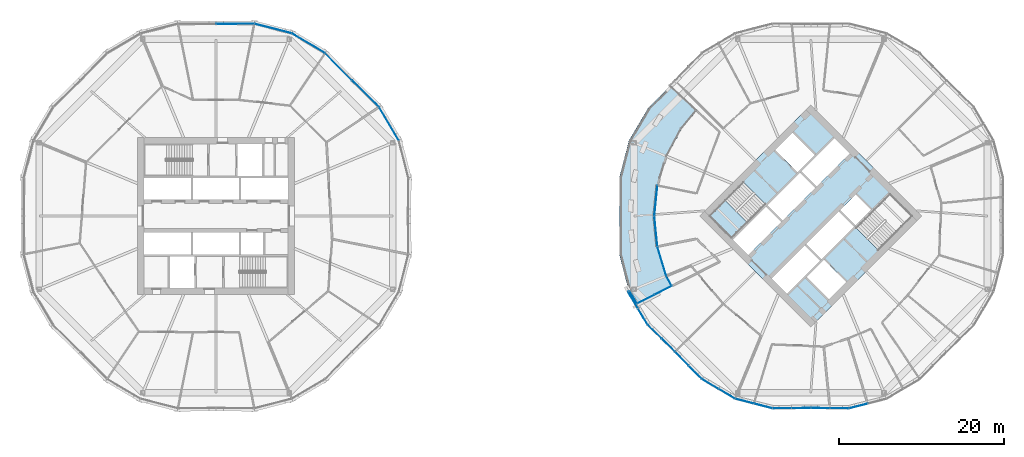
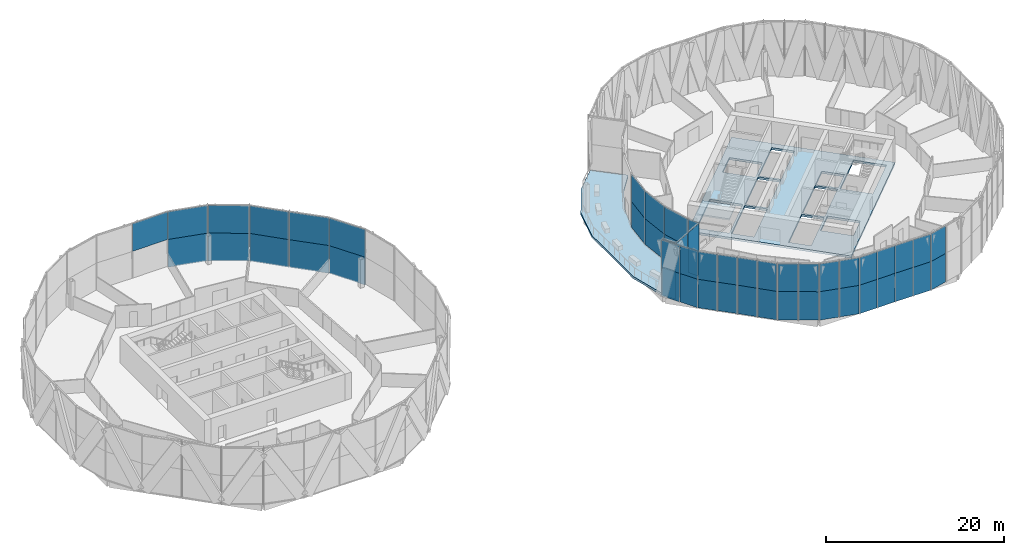
# One storey, part 19 of 31: 55 plates, 3 slabs, 9 elements without a shape of their own.
"""IFC4 building model written with IfcOpenShell, lengths in metres."""

from ifc_helpers import new_model, si_unit, direction, frame, origin, origin_2d, place, context, subcontext, project, spatial, polyline, rectangle, outline, extrude, material, layer, layer_set, type_object, element, aggregate, save


model = new_model("IFC4")

# Units and contexts
model_context = context("Model", 3, precision=1e-05, world=origin(), true_north=direction((0.0, 1.0)))
body_context = subcontext(model_context, "Body", "Model", "MODEL_VIEW")
ifc_project = project(units=[si_unit("LENGTHUNIT", "METRE"), si_unit("AREAUNIT", "SQUARE_METRE"), si_unit("VOLUMEUNIT", "CUBIC_METRE"), si_unit("PLANEANGLEUNIT", "RADIAN"), si_unit("MASSUNIT", "GRAM", prefix="KILO")], contexts=[model_context])

# Site, building, storey
site_placement = place(None, origin())
site = spatial("IfcSite", under=ifc_project, at=site_placement, CompositionType="ELEMENT")
building_placement = place(site_placement, origin())
building = spatial("IfcBuilding", under=site, at=building_placement, Name="Ogive Gate Towers", CompositionType="ELEMENT")
storey_placement = place(building_placement, frame((0.0, 0.0, 107.39990234375)))
storey = spatial("IfcBuildingStorey", under=building, at=storey_placement, Name="L25", CompositionType="ELEMENT", Elevation=107.39990234375)

# Slab
ifc_material_1 = material(Name="Concrete C40/50", Category="concrete")
ifc_layer_1 = layer(ifc_material_1, 0.300048828125)
ifc_layer_set_1 = layer_set([ifc_layer_1], Name="Core slab C40/50 300 mm")
slab_type_1 = type_object("IfcSlabType", Name="Core slab C40/50 300 mm", PredefinedType="FLOOR", material=ifc_layer_set_1)
slab_1_placement = place(storey_placement, frame((0.0, 0.0, -0.2998046875)))
element("IfcSlab", 1, at=slab_1_placement, inside=storey, type_object=slab_type_1, Name="T2 L25 core slab", PredefinedType="FLOOR", context=body_context, shape_type="SweptSolid", body=[
    extrude(outline(polyline([(36.0, 13.43505859375), (49.43505859375, 0.0), (36.0, -13.43505859375), (22.56494140625, 0.0), (36.0, 13.43505859375)]), holes=[polyline([(30.590576171875, 1.13134765625), (26.577880859375, -2.881591796875), (28.43408203125, -4.737548828125), (32.44677734375, -0.724853515625), (30.590576171875, 1.13134765625)]), polyline([(36.548095703125, 3.37646484375), (34.69189453125, 5.232666015625), (30.767333984375, 1.30810546875), (32.62353515625, -0.548095703125), (36.548095703125, 3.37646484375)]), polyline([(36.724853515625, 3.55322265625), (40.737548828125, 7.56591796875), (38.881591796875, 9.422119140625), (34.86865234375, 5.409423828125), (36.724853515625, 3.55322265625)]), polyline([(31.262451171875, -7.56591796875), (33.118408203125, -9.422119140625), (37.13134765625, -5.409423828125), (35.275146484375, -3.55322265625), (31.262451171875, -7.56591796875)]), polyline([(39.37646484375, 0.548095703125), (35.451904296875, -3.37646484375), (37.30810546875, -5.232666015625), (41.232666015625, -1.30810546875), (39.37646484375, 0.548095703125)]), polyline([(43.283203125, 0.742431640625), (41.427001953125, 2.5986328125), (39.55322265625, 0.724853515625), (41.409423828125, -1.13134765625), (43.283203125, 0.742431640625)]), polyline([(34.408935546875, 5.30322265625), (36.4951171875, 7.389404296875), (33.790283203125, 10.093994140625), (31.704345703125, 8.008056640625), (34.408935546875, 5.30322265625)]), polyline([(35.5048828125, -7.389404296875), (38.209716796875, -10.093994140625), (40.295654296875, -8.008056640625), (37.591064453125, -5.30322265625), (35.5048828125, -7.389404296875)]), polyline([(26.40087890625, -2.70458984375), (30.512939453125, 1.406982421875), (27.80810546875, 4.11181640625), (23.6962890625, 0.0), (26.40087890625, -2.70458984375)]), polyline([(48.3037109375, 0.0), (45.59912109375, 2.70458984375), (41.487060546875, -1.406982421875), (44.19189453125, -4.11181640625), (48.3037109375, 0.0)])]), origin(), (0.0, 0.0, 1.0), 0.2998046875),
])

# Curtain wall, plates
ifc_material_2 = material(Name="Pale metal aluminium", Category="aluminium")
curtain_wall_type_1 = type_object("IfcCurtainWallType", Name="Sky garden glazing", PredefinedType="NOTDEFINED", material=ifc_material_2)
curtain_wall_1_placement = place(storey_placement, origin())
curtain_wall_1 = element("IfcCurtainWall", 2, at=curtain_wall_1_placement, inside=storey, type_object=curtain_wall_type_1, Name="CW4 T2 ECW01", PredefinedType="NOTDEFINED")
ifc_material_3 = material(Name="Clear glass", Category="glass")
ifc_layer_2 = layer(ifc_material_3, 0.028076171875)
ifc_layer_set_2 = layer_set([ifc_layer_2], Name="Sky garden glazing glass panel")
plate_type_1 = type_object("IfcPlateType", Name="Sky garden glazing glass panel", PredefinedType="CURTAIN_PANEL", material=ifc_layer_set_2)
plate_1_placement = place(storey_placement, frame((17.241455078125, 1.84765625, 0.09619140625), z_axis=(0.0, 0.0, 1.0), x_axis=(0.098034509565, 0.995183015799, 0.0)))
plate_1 = element("IfcPlate", 3, at=plate_1_placement, type_object=plate_type_1, Name="CW4 glass panel", PredefinedType="CURTAIN_PANEL", context=body_context, shape_type="SweptSolid", body=[
    extrude(rectangle(XDim=3.6689453125, YDim=0.028076171875, at=origin_2d()), origin(), (0.0, 0.0, 1.0), 3.50390625),
])
plate_2_placement = place(storey_placement, frame((17.241455078125, 1.84765625, 3.60009765625), z_axis=(0.0, 0.0, 1.0), x_axis=(0.098034509565, 0.995183015799, 0.0)))
plate_2 = element("IfcPlate", 4, at=plate_2_placement, type_object=plate_type_1, Name="CW4 glass panel", PredefinedType="CURTAIN_PANEL", context=body_context, shape_type="SweptSolid", body=[
    extrude(rectangle(XDim=3.6689453125, YDim=0.028076171875, at=origin_2d()), origin(), (0.0, 0.0, 1.0), 3.803955078125),
])
aggregate(curtain_wall_1, [plate_1, plate_2])

curtain_wall_2_placement = place(storey_placement, origin())
curtain_wall_2 = element("IfcCurtainWall", 5, at=curtain_wall_2_placement, inside=storey, type_object=curtain_wall_type_1, Name="CW4 T2 ECW02", PredefinedType="NOTDEFINED")
plate_3_placement = place(storey_placement, frame((18.100341796875, -9.008056640625, 0.09619140625), z_axis=(0.0, 0.0, 1.0), x_axis=(0.891006524188, 0.45399049974, 0.0)))
plate_3 = element("IfcPlate", 6, at=plate_3_placement, type_object=plate_type_1, Name="CW4 glass panel", PredefinedType="CURTAIN_PANEL", context=body_context, shape_type="SweptSolid", body=[
    extrude(rectangle(XDim=2.290283203125, YDim=0.028076171875, at=origin_2d()), origin(), (0.0, 0.0, 1.0), 3.50390625),
])
plate_4_placement = place(storey_placement, frame((18.100341796875, -9.008056640625, 3.60009765625), z_axis=(0.0, 0.0, 1.0), x_axis=(0.891006524188, 0.45399049974, 0.0)))
plate_4 = element("IfcPlate", 7, at=plate_4_placement, type_object=plate_type_1, Name="CW4 glass panel", PredefinedType="CURTAIN_PANEL", context=body_context, shape_type="SweptSolid", body=[
    extrude(rectangle(XDim=2.290283203125, YDim=0.028076171875, at=origin_2d()), origin(), (0.0, 0.0, 1.0), 3.803955078125),
])
plate_5_placement = place(storey_placement, frame((18.824951171875, -7.853759765625, 0.09619140625), z_axis=(0.0, 0.0, 1.0), x_axis=(-0.471396736826, 0.881921264348, 0.0)))
plate_5 = element("IfcPlate", 8, at=plate_5_placement, type_object=plate_type_1, Name="CW4 glass panel", PredefinedType="CURTAIN_PANEL", context=body_context, shape_type="SweptSolid", body=[
    extrude(rectangle(XDim=1.322509765625, YDim=0.028076171875, at=origin_2d()), origin(), (0.0, 0.0, 1.0), 3.50390625),
])
plate_6_placement = place(storey_placement, frame((18.824951171875, -7.853759765625, 3.60009765625), z_axis=(0.0, 0.0, 1.0), x_axis=(-0.471396736826, 0.881921264348, 0.0)))
plate_6 = element("IfcPlate", 9, at=plate_6_placement, type_object=plate_type_1, Name="CW4 glass panel", PredefinedType="CURTAIN_PANEL", context=body_context, shape_type="SweptSolid", body=[
    extrude(rectangle(XDim=1.322509765625, YDim=0.028076171875, at=origin_2d()), origin(), (0.0, 0.0, 1.0), 3.803955078125),
])
plate_7_placement = place(storey_placement, frame((17.96240234375, -5.4716796875, 0.09619140625), z_axis=(0.0, 0.0, 1.0), x_axis=(-0.290284677254, 0.956940335732, 0.0)))
plate_7 = element("IfcPlate", 10, at=plate_7_placement, type_object=plate_type_1, Name="CW4 glass panel", PredefinedType="CURTAIN_PANEL", context=body_context, shape_type="SweptSolid", body=[
    extrude(rectangle(XDim=3.662109375, YDim=0.028076171875, at=origin_2d()), origin(), (0.0, 0.0, 1.0), 3.50390625),
])
plate_8_placement = place(storey_placement, frame((17.96240234375, -5.4716796875, 3.60009765625), z_axis=(0.0, 0.0, 1.0), x_axis=(-0.290284677254, 0.956940335732, 0.0)))
plate_8 = element("IfcPlate", 11, at=plate_8_placement, type_object=plate_type_1, Name="CW4 glass panel", PredefinedType="CURTAIN_PANEL", context=body_context, shape_type="SweptSolid", body=[
    extrude(rectangle(XDim=3.662109375, YDim=0.028076171875, at=origin_2d()), origin(), (0.0, 0.0, 1.0), 3.803955078125),
])
plate_9_placement = place(storey_placement, frame((17.2412109375, -1.845947265625, 0.09619140625), z_axis=(0.0, 0.0, 1.0), x_axis=(-0.098034509565, 0.995183015799, 0.0)))
plate_9 = element("IfcPlate", 12, at=plate_9_placement, type_object=plate_type_1, Name="CW4 glass panel", PredefinedType="CURTAIN_PANEL", context=body_context, shape_type="SweptSolid", body=[
    extrude(rectangle(XDim=3.66552734375, YDim=0.028076171875, at=origin_2d()), origin(), (0.0, 0.0, 1.0), 3.50390625),
])
plate_10_placement = place(storey_placement, frame((17.2412109375, -1.845947265625, 3.60009765625), z_axis=(0.0, 0.0, 1.0), x_axis=(-0.098034509565, 0.995183015799, 0.0)))
plate_10 = element("IfcPlate", 13, at=plate_10_placement, type_object=plate_type_1, Name="CW4 glass panel", PredefinedType="CURTAIN_PANEL", context=body_context, shape_type="SweptSolid", body=[
    extrude(rectangle(XDim=3.66552734375, YDim=0.028076171875, at=origin_2d()), origin(), (0.0, 0.0, 1.0), 3.803955078125),
])
aggregate(curtain_wall_2, [plate_3, plate_4, plate_5, plate_6, plate_7, plate_8, plate_9, plate_10])

# Stair, slab
stair_type = type_object("IfcStairType", Name="Escape stair 1840 wide", PredefinedType="HALF_TURN_STAIR", material=ifc_material_1)
stair_placement = place(storey_placement, origin())
stair = element("IfcStair", 14, at=stair_placement, inside=storey, type_object=stair_type, Name="L25 Escape stair 1", PredefinedType="HALF_TURN_STAIR")
ifc_layer_3 = layer(ifc_material_1, 0.199951171875)
ifc_layer_set_3 = layer_set([ifc_layer_3], Name="Stair landing 200 mm")
slab_type_2 = type_object("IfcSlabType", Name="Stair landing 200 mm", PredefinedType="LANDING", material=ifc_layer_set_3)
slab_2_placement = place(storey_placement, frame((0.0, 0.0, 1.75)))
slab_2 = element("IfcSlab", 15, at=slab_2_placement, type_object=slab_type_2, Name="ST1 landing 1", PredefinedType="LANDING", context=body_context, shape_type="SweptSolid", body=[
    extrude(outline(polyline([(25.6044921875, 1.908203125), (23.6962890625, 0.0), (26.401123046875, -2.70458984375), (28.309326171875, -0.79638671875), (25.6044921875, 1.908203125)])), origin(), (0.0, 0.0, 1.0), 0.2001953125),
])
aggregate(stair, [slab_2])

# Slab
ifc_material_4 = material(Name="Concrete C35/45", Category="concrete")
ifc_layer_4 = layer(ifc_material_4, 0.300048828125)
ifc_layer_set_4 = layer_set([ifc_layer_4], Name="Terrace slab 300")
slab_type_3 = type_object("IfcSlabType", Name="Terrace slab 300", PredefinedType="FLOOR", material=ifc_layer_set_4)
slab_3_placement = place(storey_placement, frame((0.0, 0.0, -0.2998046875)))
element("IfcSlab", 16, at=slab_3_placement, inside=storey, type_object=slab_type_3, Name="T2/L25/SSL002", PredefinedType="FLOOR", context=body_context, shape_type="SweptSolid", body=[
    extrude(outline(polyline([(22.26025390625, 12.8125), (19.060302734375, 15.796630859375), (16.343994140625, 13.1337890625), (13.974609375, 9.123291015625), (12.814208984375, 4.61181640625), (12.860107421875, 0.0), (12.814208984375, -4.61181640625), (13.974609375, -9.123291015625), (14.927978515625, -10.73681640625), (19.291015625, -8.513671875), (18.593994140625, -7.209716796875), (17.52197265625, -3.675537109375), (17.159912109375, 0.0), (17.52197265625, 3.675537109375), (18.593994140625, 7.209716796875), (20.335205078125, 10.467041015625), (22.26025390625, 12.8125)])), origin(), (0.0, 0.0, 1.0), 0.2998046875),
])

# Curtain wall, plates
curtain_wall_type_2 = type_object("IfcCurtainWallType", Name="Tower unitised wall, low zone", PredefinedType="NOTDEFINED", material=ifc_material_2)
curtain_wall_3_placement = place(storey_placement, origin())
curtain_wall_3 = element("IfcCurtainWall", 17, at=curtain_wall_3_placement, inside=storey, type_object=curtain_wall_type_2, Name="CW1 T1 ECW01", PredefinedType="NOTDEFINED")
ifc_layer_5 = layer(ifc_material_3, 0.028076171875)
ifc_layer_set_5 = layer_set([ifc_layer_5], Name="Tower unitised wall, low zone glass panel")
plate_type_2 = type_object("IfcPlateType", Name="Tower unitised wall, low zone glass panel", PredefinedType="CURTAIN_PANEL", material=ifc_layer_set_5)
plate_11_placement = place(storey_placement, frame((-15.072998046875, 11.178955078125, -0.2041015625), z_axis=(0.0, 0.0, 1.0), x_axis=(-0.508650771011, 0.860972934041, 0.0)))
plate_11 = element("IfcPlate", 18, at=plate_11_placement, type_object=plate_type_2, Name="CW1 glass panel", PredefinedType="CURTAIN_PANEL", context=body_context, shape_type="SweptSolid", body=[
    extrude(rectangle(XDim=4.623779296875, YDim=0.028076171875, at=origin_2d()), origin(), (0.0, 0.0, 1.0), 3.803955078125),
])
plate_12_placement = place(storey_placement, frame((-15.072998046875, 11.178955078125, 3.60009765625), z_axis=(0.0, 0.0, 1.0), x_axis=(-0.508650771011, 0.860972934041, 0.0)))
plate_12 = element("IfcPlate", 19, at=plate_12_placement, type_object=plate_type_2, Name="CW1 glass panel", PredefinedType="CURTAIN_PANEL", context=body_context, shape_type="SweptSolid", body=[
    extrude(rectangle(XDim=4.623779296875, YDim=0.028076171875, at=origin_2d()), origin(), (0.0, 0.0, 1.0), 3.803955078125),
])
plate_13_placement = place(storey_placement, frame((-17.9169921875, 14.81591796875, -0.2041015625), z_axis=(0.0, 0.0, 1.0), x_axis=(-0.714081802495, 0.700062268192, 0.0)))
plate_13 = element("IfcPlate", 20, at=plate_13_placement, type_object=plate_type_2, Name="CW1 glass panel", PredefinedType="CURTAIN_PANEL", context=body_context, shape_type="SweptSolid", body=[
    extrude(rectangle(XDim=4.56640625, YDim=0.028076171875, at=origin_2d()), origin(), (0.0, 0.0, 1.0), 3.803955078125),
])
plate_14_placement = place(storey_placement, frame((-17.9169921875, 14.81591796875, 3.60009765625), z_axis=(0.0, 0.0, 1.0), x_axis=(-0.714081802495, 0.700062268192, 0.0)))
plate_14 = element("IfcPlate", 21, at=plate_14_placement, type_object=plate_type_2, Name="CW1 glass panel", PredefinedType="CURTAIN_PANEL", context=body_context, shape_type="SweptSolid", body=[
    extrude(rectangle(XDim=4.56640625, YDim=0.028076171875, at=origin_2d()), origin(), (0.0, 0.0, 1.0), 3.803955078125),
])
aggregate(curtain_wall_3, [plate_11, plate_12, plate_13, plate_14])

curtain_wall_4_placement = place(storey_placement, origin())
curtain_wall_4 = element("IfcCurtainWall", 22, at=curtain_wall_4_placement, inside=storey, type_object=curtain_wall_type_2, Name="CW1 T1 ECW02", PredefinedType="NOTDEFINED")
plate_15_placement = place(storey_placement, frame((-21.18408203125, 18.0830078125, -0.2041015625), z_axis=(0.0, 0.0, 1.0), x_axis=(-0.700062268192, 0.714081802495, 0.0)))
plate_15 = element("IfcPlate", 23, at=plate_15_placement, type_object=plate_type_2, Name="CW1 glass panel", PredefinedType="CURTAIN_PANEL", context=body_context, shape_type="SweptSolid", body=[
    extrude(rectangle(XDim=4.56640625, YDim=0.028076171875, at=origin_2d()), origin(), (0.0, 0.0, 1.0), 3.803955078125),
])
plate_16_placement = place(storey_placement, frame((-21.18408203125, 18.0830078125, 3.60009765625), z_axis=(0.0, 0.0, 1.0), x_axis=(-0.700062268192, 0.714081802495, 0.0)))
plate_16 = element("IfcPlate", 24, at=plate_16_placement, type_object=plate_type_2, Name="CW1 glass panel", PredefinedType="CURTAIN_PANEL", context=body_context, shape_type="SweptSolid", body=[
    extrude(rectangle(XDim=4.56640625, YDim=0.028076171875, at=origin_2d()), origin(), (0.0, 0.0, 1.0), 3.803955078125),
])
plate_17_placement = place(storey_placement, frame((-24.821044921875, 20.927001953125, -0.2041015625), z_axis=(0.0, 0.0, 1.0), x_axis=(-0.860972934041, 0.508650771011, 0.0)))
plate_17 = element("IfcPlate", 25, at=plate_17_placement, type_object=plate_type_2, Name="CW1 glass panel", PredefinedType="CURTAIN_PANEL", context=body_context, shape_type="SweptSolid", body=[
    extrude(rectangle(XDim=4.623779296875, YDim=0.028076171875, at=origin_2d()), origin(), (0.0, 0.0, 1.0), 3.803955078125),
])
plate_18_placement = place(storey_placement, frame((-24.821044921875, 20.927001953125, 3.60009765625), z_axis=(0.0, 0.0, 1.0), x_axis=(-0.860972934041, 0.508650771011, 0.0)))
plate_18 = element("IfcPlate", 26, at=plate_18_placement, type_object=plate_type_2, Name="CW1 glass panel", PredefinedType="CURTAIN_PANEL", context=body_context, shape_type="SweptSolid", body=[
    extrude(rectangle(XDim=4.623779296875, YDim=0.028076171875, at=origin_2d()), origin(), (0.0, 0.0, 1.0), 3.803955078125),
])
plate_19_placement = place(storey_placement, frame((-29.107177734375, 22.702392578125, -0.2041015625), z_axis=(0.0, 0.0, 1.0), x_axis=(-0.968470209515, 0.249129390641, 0.0)))
plate_19 = element("IfcPlate", 27, at=plate_19_placement, type_object=plate_type_2, Name="CW1 glass panel", PredefinedType="CURTAIN_PANEL", context=body_context, shape_type="SweptSolid", body=[
    extrude(rectangle(XDim=4.62353515625, YDim=0.028076171875, at=origin_2d()), origin(), (0.0, 0.0, 1.0), 3.803955078125),
])
plate_20_placement = place(storey_placement, frame((-29.107177734375, 22.702392578125, 3.60009765625), z_axis=(0.0, 0.0, 1.0), x_axis=(-0.968470209515, 0.249129390641, 0.0)))
plate_20 = element("IfcPlate", 28, at=plate_20_placement, type_object=plate_type_2, Name="CW1 glass panel", PredefinedType="CURTAIN_PANEL", context=body_context, shape_type="SweptSolid", body=[
    extrude(rectangle(XDim=4.62353515625, YDim=0.028076171875, at=origin_2d()), origin(), (0.0, 0.0, 1.0), 3.803955078125),
])
plate_21_placement = place(storey_placement, frame((-33.68994140625, 23.262939453125, 3.60009765625), z_axis=(0.0, 0.0, 1.0), x_axis=(-0.999950688785, -0.009930760208, 0.0)))
plate_21 = element("IfcPlate", 29, at=plate_21_placement, type_object=plate_type_2, Name="CW1 glass panel", PredefinedType="CURTAIN_PANEL", context=body_context, shape_type="SweptSolid", body=[
    extrude(rectangle(XDim=4.56640625, YDim=0.028076171875, at=origin_2d()), origin(), (0.0, 0.0, 1.0), 3.803955078125),
])
aggregate(curtain_wall_4, [plate_15, plate_16, plate_17, plate_18, plate_19, plate_20, plate_21])

curtain_wall_5_placement = place(storey_placement, origin())
curtain_wall_5 = element("IfcCurtainWall", 30, at=curtain_wall_5_placement, inside=storey, type_object=curtain_wall_type_2, Name="CW1 T2 ECW07", PredefinedType="NOTDEFINED")
plate_22_placement = place(storey_placement, frame((18.7412109375, -15.623779296875, -0.2998046875), z_axis=(0.0, 0.0, 1.0), x_axis=(-0.714081802495, 0.700062268192, 0.0)))
plate_22 = element("IfcPlate", 31, at=plate_22_placement, type_object=plate_type_2, Name="CW1 glass panel", PredefinedType="CURTAIN_PANEL", context=body_context, shape_type="SweptSolid", body=[
    extrude(rectangle(XDim=2.25830078125, YDim=0.028076171875, at=origin_2d()), origin(), (0.0, 0.0, 1.0), 3.89990234375),
])
plate_23_placement = place(storey_placement, frame((18.7412109375, -15.623779296875, 3.60009765625), z_axis=(0.0, 0.0, 1.0), x_axis=(-0.714081802495, 0.700062268192, 0.0)))
plate_23 = element("IfcPlate", 32, at=plate_23_placement, type_object=plate_type_2, Name="CW1 glass panel", PredefinedType="CURTAIN_PANEL", context=body_context, shape_type="SweptSolid", body=[
    extrude(rectangle(XDim=2.25830078125, YDim=0.028076171875, at=origin_2d()), origin(), (0.0, 0.0, 1.0), 3.803955078125),
])
plate_24_placement = place(storey_placement, frame((17.091552734375, -14.006591796875, -0.2998046875), z_axis=(0.0, 0.0, 1.0), x_axis=(-0.714081802495, 0.700062268192, 0.0)))
plate_24 = element("IfcPlate", 33, at=plate_24_placement, type_object=plate_type_2, Name="CW1 glass panel", PredefinedType="CURTAIN_PANEL", context=body_context, shape_type="SweptSolid", body=[
    extrude(rectangle(XDim=2.254150390625, YDim=0.028076171875, at=origin_2d()), origin(), (0.0, 0.0, 1.0), 3.89990234375),
])
plate_25_placement = place(storey_placement, frame((17.091552734375, -14.006591796875, 3.60009765625), z_axis=(0.0, 0.0, 1.0), x_axis=(-0.714081802495, 0.700062268192, 0.0)))
plate_25 = element("IfcPlate", 34, at=plate_25_placement, type_object=plate_type_2, Name="CW1 glass panel", PredefinedType="CURTAIN_PANEL", context=body_context, shape_type="SweptSolid", body=[
    extrude(rectangle(XDim=2.254150390625, YDim=0.028076171875, at=origin_2d()), origin(), (0.0, 0.0, 1.0), 3.803955078125),
])
plate_26_placement = place(storey_placement, frame((15.669677734375, -12.188720703125, -0.2998046875), z_axis=(0.0, 0.0, 1.0), x_axis=(-0.508680824326, 0.860955178255, 0.0)))
plate_26 = element("IfcPlate", 35, at=plate_26_placement, type_object=plate_type_2, Name="CW1 glass panel", PredefinedType="CURTAIN_PANEL", context=body_context, shape_type="SweptSolid", body=[
    extrude(rectangle(XDim=2.27783203125, YDim=0.028076171875, at=origin_2d()), origin(), (0.0, 0.0, 1.0), 3.89990234375),
])
plate_27_placement = place(storey_placement, frame((15.669677734375, -12.188720703125, 3.60009765625), z_axis=(0.0, 0.0, 1.0), x_axis=(-0.508680824326, 0.860955178255, 0.0)))
plate_27 = element("IfcPlate", 36, at=plate_27_placement, type_object=plate_type_2, Name="CW1 glass panel", PredefinedType="CURTAIN_PANEL", context=body_context, shape_type="SweptSolid", body=[
    extrude(rectangle(XDim=2.27783203125, YDim=0.028076171875, at=origin_2d()), origin(), (0.0, 0.0, 1.0), 3.803955078125),
])
plate_28_placement = place(storey_placement, frame((14.482666015625, -10.179443359375, -0.2998046875), z_axis=(0.0, 0.0, 1.0), x_axis=(-0.508635744121, 0.86098181154, 0.0)))
plate_28 = element("IfcPlate", 37, at=plate_28_placement, type_object=plate_type_2, Name="CW1 glass panel", PredefinedType="CURTAIN_PANEL", context=body_context, shape_type="SweptSolid", body=[
    extrude(rectangle(XDim=2.28173828125, YDim=0.028076171875, at=origin_2d()), origin(), (0.0, 0.0, 1.0), 3.89990234375),
])
plate_29_placement = place(storey_placement, frame((14.482666015625, -10.179443359375, 3.60009765625), z_axis=(0.0, 0.0, 1.0), x_axis=(-0.508635744121, 0.86098181154, 0.0)))
plate_29 = element("IfcPlate", 38, at=plate_29_placement, type_object=plate_type_2, Name="CW1 glass panel", PredefinedType="CURTAIN_PANEL", context=body_context, shape_type="SweptSolid", body=[
    extrude(rectangle(XDim=2.28173828125, YDim=0.028076171875, at=origin_2d()), origin(), (0.0, 0.0, 1.0), 3.803955078125),
])
aggregate(curtain_wall_5, [plate_22, plate_23, plate_24, plate_25, plate_26, plate_27, plate_28, plate_29])

curtain_wall_6_placement = place(storey_placement, origin())
curtain_wall_6 = element("IfcCurtainWall", 39, at=curtain_wall_6_placement, inside=storey, type_object=curtain_wall_type_2, Name="CW1 T2 ECW07b", PredefinedType="NOTDEFINED")
plate_30_placement = place(storey_placement, frame((14.509765625, -9.83203125, -0.2998046875), z_axis=(0.0, 0.0, 1.0), x_axis=(0.508650771011, -0.860972934041, 0.0)))
plate_30 = element("IfcPlate", 40, at=plate_30_placement, type_object=plate_type_2, Name="CW1 glass panel", PredefinedType="CURTAIN_PANEL", context=body_context, shape_type="SweptSolid", body=[
    extrude(rectangle(XDim=1.7109375, YDim=0.028076171875, at=origin_2d()), origin(), (0.0, 0.0, 1.0), 3.89990234375),
])
plate_31_placement = place(storey_placement, frame((14.509765625, -9.83203125, 3.60009765625), z_axis=(0.0, 0.0, 1.0), x_axis=(0.508650771011, -0.860972934041, 0.0)))
plate_31 = element("IfcPlate", 41, at=plate_31_placement, type_object=plate_type_2, Name="CW1 glass panel", PredefinedType="CURTAIN_PANEL", context=body_context, shape_type="SweptSolid", body=[
    extrude(rectangle(XDim=1.7109375, YDim=0.028076171875, at=origin_2d()), origin(), (0.0, 0.0, 1.0), 3.803955078125),
])
plate_32_placement = place(storey_placement, frame((16.020263671875, -10.068115234375, -0.2998046875), z_axis=(0.0, 0.0, 1.0), x_axis=(0.890998600424, 0.454006050668, 0.0)))
plate_32 = element("IfcPlate", 42, at=plate_32_placement, type_object=plate_type_2, Name="CW1 glass panel", PredefinedType="CURTAIN_PANEL", context=body_context, shape_type="SweptSolid", body=[
    extrude(rectangle(XDim=2.28125, YDim=0.028076171875, at=origin_2d()), origin(), (0.0, 0.0, 1.0), 3.89990234375),
])
plate_33_placement = place(storey_placement, frame((16.020263671875, -10.068115234375, 3.60009765625), z_axis=(0.0, 0.0, 1.0), x_axis=(0.890998600424, 0.454006050668, 0.0)))
plate_33 = element("IfcPlate", 43, at=plate_33_placement, type_object=plate_type_2, Name="CW1 glass panel", PredefinedType="CURTAIN_PANEL", context=body_context, shape_type="SweptSolid", body=[
    extrude(rectangle(XDim=2.28125, YDim=0.028076171875, at=origin_2d()), origin(), (0.0, 0.0, 1.0), 3.803955078125),
])
aggregate(curtain_wall_6, [plate_30, plate_31, plate_32, plate_33])

curtain_wall_7_placement = place(storey_placement, origin())
curtain_wall_7 = element("IfcCurtainWall", 44, at=curtain_wall_7_placement, inside=storey, type_object=curtain_wall_type_2, Name="CW1 T2 ECW08", PredefinedType="NOTDEFINED")
plate_34_placement = place(storey_placement, frame((34.843994140625, -23.25146484375, -0.2998046875), z_axis=(0.0, 0.0, 1.0), x_axis=(-0.999951034825, -0.009895855338, 0.0)))
plate_34 = element("IfcPlate", 45, at=plate_34_placement, type_object=plate_type_2, Name="CW1 glass panel", PredefinedType="CURTAIN_PANEL", context=body_context, shape_type="SweptSolid", body=[
    extrude(rectangle(XDim=2.25830078125, YDim=0.028076171875, at=origin_2d()), origin(), (0.0, 0.0, 1.0), 3.89990234375),
])
plate_35_placement = place(storey_placement, frame((34.843994140625, -23.25146484375, 3.60009765625), z_axis=(0.0, 0.0, 1.0), x_axis=(-0.999951034825, -0.009895855338, 0.0)))
plate_35 = element("IfcPlate", 46, at=plate_35_placement, type_object=plate_type_2, Name="CW1 glass panel", PredefinedType="CURTAIN_PANEL", context=body_context, shape_type="SweptSolid", body=[
    extrude(rectangle(XDim=2.25830078125, YDim=0.028076171875, at=origin_2d()), origin(), (0.0, 0.0, 1.0), 3.803955078125),
])
plate_36_placement = place(storey_placement, frame((32.53369140625, -23.2744140625, -0.2998046875), z_axis=(0.0, 0.0, 1.0), x_axis=(-0.999950515308, -0.009948212638, 0.0)))
plate_36 = element("IfcPlate", 47, at=plate_36_placement, type_object=plate_type_2, Name="CW1 glass panel", PredefinedType="CURTAIN_PANEL", context=body_context, shape_type="SweptSolid", body=[
    extrude(rectangle(XDim=2.25439453125, YDim=0.028076171875, at=origin_2d()), origin(), (0.0, 0.0, 1.0), 3.89990234375),
])
plate_37_placement = place(storey_placement, frame((32.53369140625, -23.2744140625, 3.60009765625), z_axis=(0.0, 0.0, 1.0), x_axis=(-0.999950515308, -0.009948212638, 0.0)))
plate_37 = element("IfcPlate", 48, at=plate_37_placement, type_object=plate_type_2, Name="CW1 glass panel", PredefinedType="CURTAIN_PANEL", context=body_context, shape_type="SweptSolid", body=[
    extrude(rectangle(XDim=2.25439453125, YDim=0.028076171875, at=origin_2d()), origin(), (0.0, 0.0, 1.0), 3.803955078125),
])
plate_38_placement = place(storey_placement, frame((30.239501953125, -22.99365234375, -0.2998046875), z_axis=(0.0, 0.0, 1.0), x_axis=(-0.96846586124, 0.249146293597, 0.0)))
plate_38 = element("IfcPlate", 49, at=plate_38_placement, type_object=plate_type_2, Name="CW1 glass panel", PredefinedType="CURTAIN_PANEL", context=body_context, shape_type="SweptSolid", body=[
    extrude(rectangle(XDim=2.284912109375, YDim=0.028076171875, at=origin_2d()), origin(), (0.0, 0.0, 1.0), 3.89990234375),
])
plate_39_placement = place(storey_placement, frame((30.239501953125, -22.99365234375, 3.60009765625), z_axis=(0.0, 0.0, 1.0), x_axis=(-0.96846586124, 0.249146293597, 0.0)))
plate_39 = element("IfcPlate", 50, at=plate_39_placement, type_object=plate_type_2, Name="CW1 glass panel", PredefinedType="CURTAIN_PANEL", context=body_context, shape_type="SweptSolid", body=[
    extrude(rectangle(XDim=2.284912109375, YDim=0.028076171875, at=origin_2d()), origin(), (0.0, 0.0, 1.0), 3.803955078125),
])
plate_40_placement = place(storey_placement, frame((27.974609375, -22.410888671875, -0.2998046875), z_axis=(0.0, 0.0, 1.0), x_axis=(-0.968474557496, 0.249112487609, 0.0)))
plate_40 = element("IfcPlate", 51, at=plate_40_placement, type_object=plate_type_2, Name="CW1 glass panel", PredefinedType="CURTAIN_PANEL", context=body_context, shape_type="SweptSolid", body=[
    extrude(rectangle(XDim=2.28466796875, YDim=0.028076171875, at=origin_2d()), origin(), (0.0, 0.0, 1.0), 3.89990234375),
])
plate_41_placement = place(storey_placement, frame((27.974609375, -22.410888671875, 3.60009765625), z_axis=(0.0, 0.0, 1.0), x_axis=(-0.968474557496, 0.249112487609, 0.0)))
plate_41 = element("IfcPlate", 52, at=plate_41_placement, type_object=plate_type_2, Name="CW1 glass panel", PredefinedType="CURTAIN_PANEL", context=body_context, shape_type="SweptSolid", body=[
    extrude(rectangle(XDim=2.28466796875, YDim=0.028076171875, at=origin_2d()), origin(), (0.0, 0.0, 1.0), 3.803955078125),
])
plate_42_placement = place(storey_placement, frame((25.827880859375, -21.521728515625, -0.2998046875), z_axis=(0.0, 0.0, 1.0), x_axis=(-0.860990688777, 0.508620717076, 0.0)))
plate_42 = element("IfcPlate", 53, at=plate_42_placement, type_object=plate_type_2, Name="CW1 glass panel", PredefinedType="CURTAIN_PANEL", context=body_context, shape_type="SweptSolid", body=[
    extrude(rectangle(XDim=2.284912109375, YDim=0.028076171875, at=origin_2d()), origin(), (0.0, 0.0, 1.0), 3.89990234375),
])
plate_43_placement = place(storey_placement, frame((25.827880859375, -21.521728515625, 3.60009765625), z_axis=(0.0, 0.0, 1.0), x_axis=(-0.860990688777, 0.508620717076, 0.0)))
plate_43 = element("IfcPlate", 54, at=plate_43_placement, type_object=plate_type_2, Name="CW1 glass panel", PredefinedType="CURTAIN_PANEL", context=body_context, shape_type="SweptSolid", body=[
    extrude(rectangle(XDim=2.284912109375, YDim=0.028076171875, at=origin_2d()), origin(), (0.0, 0.0, 1.0), 3.803955078125),
])
plate_44_placement = place(storey_placement, frame((23.814208984375, -20.33203125, -0.2998046875), z_axis=(0.0, 0.0, 1.0), x_axis=(-0.860955178255, 0.508680824326, 0.0)))
plate_44 = element("IfcPlate", 55, at=plate_44_placement, type_object=plate_type_2, Name="CW1 glass panel", PredefinedType="CURTAIN_PANEL", context=body_context, shape_type="SweptSolid", body=[
    extrude(rectangle(XDim=2.284912109375, YDim=0.028076171875, at=origin_2d()), origin(), (0.0, 0.0, 1.0), 3.89990234375),
])
plate_45_placement = place(storey_placement, frame((23.814208984375, -20.33203125, 3.60009765625), z_axis=(0.0, 0.0, 1.0), x_axis=(-0.860955178255, 0.508680824326, 0.0)))
plate_45 = element("IfcPlate", 56, at=plate_45_placement, type_object=plate_type_2, Name="CW1 glass panel", PredefinedType="CURTAIN_PANEL", context=body_context, shape_type="SweptSolid", body=[
    extrude(rectangle(XDim=2.284912109375, YDim=0.028076171875, at=origin_2d()), origin(), (0.0, 0.0, 1.0), 3.803955078125),
])
plate_46_placement = place(storey_placement, frame((21.993408203125, -18.908447265625, -0.2998046875), z_axis=(0.0, 0.0, 1.0), x_axis=(-0.700062268192, 0.714081802495, 0.0)))
plate_46 = element("IfcPlate", 57, at=plate_46_placement, type_object=plate_type_2, Name="CW1 glass panel", PredefinedType="CURTAIN_PANEL", context=body_context, shape_type="SweptSolid", body=[
    extrude(rectangle(XDim=2.254150390625, YDim=0.028076171875, at=origin_2d()), origin(), (0.0, 0.0, 1.0), 3.89990234375),
])
plate_47_placement = place(storey_placement, frame((21.993408203125, -18.908447265625, 3.60009765625), z_axis=(0.0, 0.0, 1.0), x_axis=(-0.700062268192, 0.714081802495, 0.0)))
plate_47 = element("IfcPlate", 58, at=plate_47_placement, type_object=plate_type_2, Name="CW1 glass panel", PredefinedType="CURTAIN_PANEL", context=body_context, shape_type="SweptSolid", body=[
    extrude(rectangle(XDim=2.254150390625, YDim=0.028076171875, at=origin_2d()), origin(), (0.0, 0.0, 1.0), 3.803955078125),
])
plate_48_placement = place(storey_placement, frame((20.376220703125, -17.2587890625, -0.2998046875), z_axis=(0.0, 0.0, 1.0), x_axis=(-0.700062268192, 0.714081802495, 0.0)))
plate_48 = element("IfcPlate", 59, at=plate_48_placement, type_object=plate_type_2, Name="CW1 glass panel", PredefinedType="CURTAIN_PANEL", context=body_context, shape_type="SweptSolid", body=[
    extrude(rectangle(XDim=2.25830078125, YDim=0.028076171875, at=origin_2d()), origin(), (0.0, 0.0, 1.0), 3.89990234375),
])
plate_49_placement = place(storey_placement, frame((20.376220703125, -17.2587890625, 3.60009765625), z_axis=(0.0, 0.0, 1.0), x_axis=(-0.700062268192, 0.714081802495, 0.0)))
plate_49 = element("IfcPlate", 60, at=plate_49_placement, type_object=plate_type_2, Name="CW1 glass panel", PredefinedType="CURTAIN_PANEL", context=body_context, shape_type="SweptSolid", body=[
    extrude(rectangle(XDim=2.25830078125, YDim=0.028076171875, at=origin_2d()), origin(), (0.0, 0.0, 1.0), 3.803955078125),
])
aggregate(curtain_wall_7, [plate_34, plate_35, plate_36, plate_37, plate_38, plate_39, plate_40, plate_41, plate_42, plate_43, plate_44, plate_45, plate_46, plate_47, plate_48, plate_49])

curtain_wall_8_placement = place(storey_placement, origin())
curtain_wall_8 = element("IfcCurtainWall", 61, at=curtain_wall_8_placement, inside=storey, type_object=curtain_wall_type_2, Name="CW1 T2 ECW09", PredefinedType="NOTDEFINED")
plate_50_placement = place(storey_placement, frame((41.760498046875, -22.99365234375, -0.2998046875), z_axis=(0.0, 0.0, 1.0), x_axis=(-0.96846586124, -0.249146293597, 0.0)))
plate_50 = element("IfcPlate", 62, at=plate_50_placement, type_object=plate_type_2, Name="CW1 glass panel", PredefinedType="CURTAIN_PANEL", context=body_context, shape_type="SweptSolid", body=[
    extrude(rectangle(XDim=2.284912109375, YDim=0.028076171875, at=origin_2d()), origin(), (0.0, 0.0, 1.0), 3.89990234375),
])
plate_51_placement = place(storey_placement, frame((41.760498046875, -22.99365234375, 3.60009765625), z_axis=(0.0, 0.0, 1.0), x_axis=(-0.96846586124, -0.249146293597, 0.0)))
plate_51 = element("IfcPlate", 63, at=plate_51_placement, type_object=plate_type_2, Name="CW1 glass panel", PredefinedType="CURTAIN_PANEL", context=body_context, shape_type="SweptSolid", body=[
    extrude(rectangle(XDim=2.284912109375, YDim=0.028076171875, at=origin_2d()), origin(), (0.0, 0.0, 1.0), 3.803955078125),
])
plate_52_placement = place(storey_placement, frame((39.46630859375, -23.2744140625, -0.2998046875), z_axis=(0.0, 0.0, 1.0), x_axis=(-0.999950515308, 0.009948212638, 0.0)))
plate_52 = element("IfcPlate", 64, at=plate_52_placement, type_object=plate_type_2, Name="CW1 glass panel", PredefinedType="CURTAIN_PANEL", context=body_context, shape_type="SweptSolid", body=[
    extrude(rectangle(XDim=2.25439453125, YDim=0.028076171875, at=origin_2d()), origin(), (0.0, 0.0, 1.0), 3.89990234375),
])
plate_53_placement = place(storey_placement, frame((39.46630859375, -23.2744140625, 3.60009765625), z_axis=(0.0, 0.0, 1.0), x_axis=(-0.999950515308, 0.009948212638, 0.0)))
plate_53 = element("IfcPlate", 65, at=plate_53_placement, type_object=plate_type_2, Name="CW1 glass panel", PredefinedType="CURTAIN_PANEL", context=body_context, shape_type="SweptSolid", body=[
    extrude(rectangle(XDim=2.25439453125, YDim=0.028076171875, at=origin_2d()), origin(), (0.0, 0.0, 1.0), 3.803955078125),
])
plate_54_placement = place(storey_placement, frame((37.156005859375, -23.25146484375, -0.2998046875), z_axis=(0.0, 0.0, 1.0), x_axis=(-0.999951034825, 0.009895855338, 0.0)))
plate_54 = element("IfcPlate", 66, at=plate_54_placement, type_object=plate_type_2, Name="CW1 glass panel", PredefinedType="CURTAIN_PANEL", context=body_context, shape_type="SweptSolid", body=[
    extrude(rectangle(XDim=2.25830078125, YDim=0.028076171875, at=origin_2d()), origin(), (0.0, 0.0, 1.0), 3.89990234375),
])
plate_55_placement = place(storey_placement, frame((37.156005859375, -23.25146484375, 3.60009765625), z_axis=(0.0, 0.0, 1.0), x_axis=(-0.999951034825, 0.009895855338, 0.0)))
plate_55 = element("IfcPlate", 67, at=plate_55_placement, type_object=plate_type_2, Name="CW1 glass panel", PredefinedType="CURTAIN_PANEL", context=body_context, shape_type="SweptSolid", body=[
    extrude(rectangle(XDim=2.25830078125, YDim=0.028076171875, at=origin_2d()), origin(), (0.0, 0.0, 1.0), 3.803955078125),
])
aggregate(curtain_wall_8, [plate_50, plate_51, plate_52, plate_53, plate_54, plate_55])

save(model, "model.ifc")
